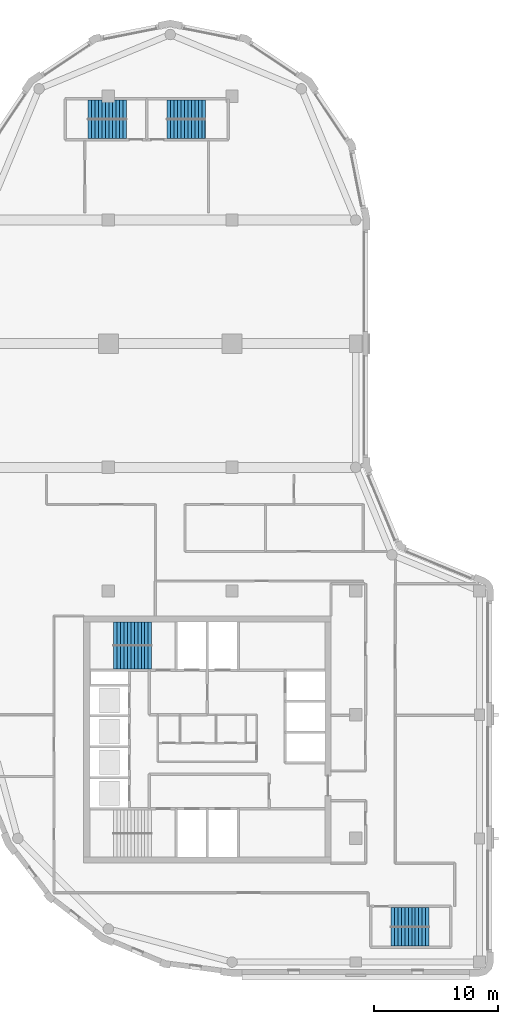
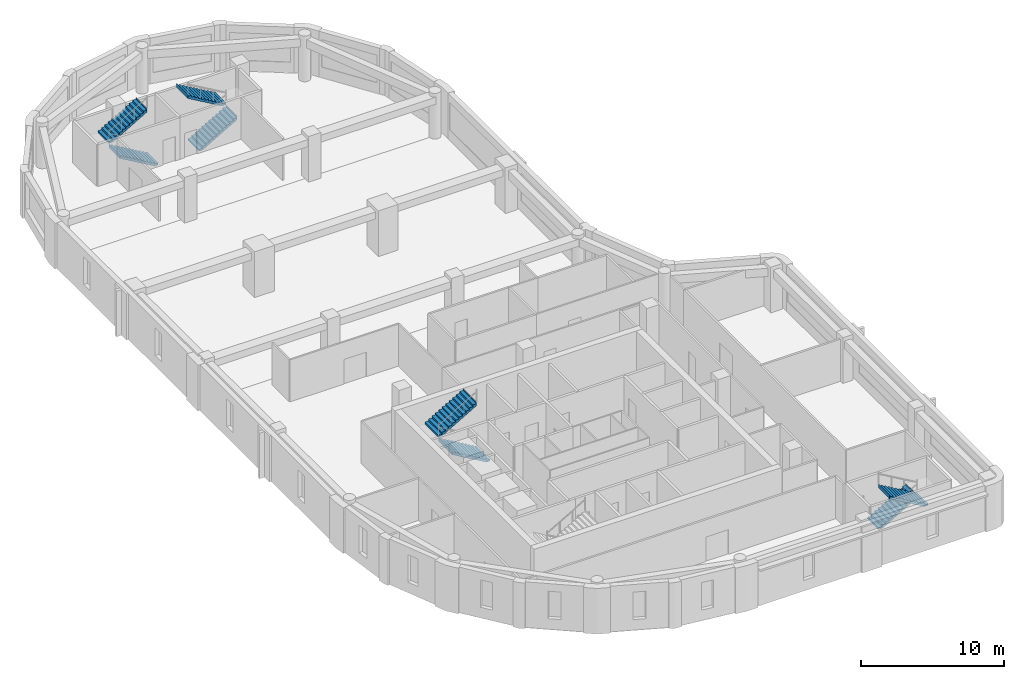
# One storey, part 6 of 8: 8 stair flights, 4 elements without a shape of their own.
"""IFC4 building model written with IfcOpenShell, lengths in metres."""

from ifc_helpers import new_model, si_unit, direction, frame, origin, place, context, subcontext, project, spatial, polyline, outline, extrude, material, type_object, element, aggregate, save


model = new_model("IFC4")

# Units and contexts
model_context = context("Model", 3, precision=1e-05, world=origin(), true_north=direction((0.0, 1.0)))
body_context = subcontext(model_context, "Body", "Model", "MODEL_VIEW")
ifc_project = project(units=[si_unit("LENGTHUNIT", "METRE"), si_unit("AREAUNIT", "SQUARE_METRE"), si_unit("VOLUMEUNIT", "CUBIC_METRE"), si_unit("PLANEANGLEUNIT", "RADIAN"), si_unit("MASSUNIT", "GRAM", prefix="KILO")], contexts=[model_context])

# Site, building, storey
site_placement = place(None, origin())
site = spatial("IfcSite", under=ifc_project, at=site_placement, CompositionType="ELEMENT")
building_placement = place(site_placement, origin())
building = spatial("IfcBuilding", under=site, at=building_placement, Name="Qaws Garden Tower", CompositionType="ELEMENT")
storey_placement = place(building_placement, frame((0.0, 0.0, 313.800048828125)))
storey = spatial("IfcBuildingStorey", under=building, at=storey_placement, Name="L76", CompositionType="ELEMENT", Elevation=313.800048828125)

# Stair, stair flights
ifc_material_1 = material(Name="Concrete C40", Category="concrete")
stair_type_1 = type_object("IfcStairType", Name="Exit stair 1350", PredefinedType="HALF_TURN_STAIR", material=ifc_material_1)
placement = place(storey_placement, origin())
stair_1 = element("IfcStair", 1, at=placement, inside=storey, type_object=stair_type_1, Name="Stair 5", PredefinedType="HALF_TURN_STAIR")
ifc_material_2 = material(Name="Concrete C40", Category="concrete")
stair_flight_type_1 = type_object("IfcStairFlightType", Name="Stair flight 1350", PredefinedType="STRAIGHT", material=ifc_material_2)
stair_flight_1_placement = place(storey_placement, frame((32.85009765625, 3.625, 0.0), z_axis=(0.0, 0.0, 1.0), x_axis=(1.0, 0.0, 0.0)))
stair_flight_1 = element("IfcStairFlight", 2, at=stair_flight_1_placement, type_object=stair_flight_type_1, Name="ST5 flight 1", NumberOfRisers=12, NumberOfTreads=11, PredefinedType="STRAIGHT", RiserHeight=0.1625, TreadLength=0.28, context=body_context, shape_type="SweptSolid", body=[
    extrude(outline(polyline([(-0.0029296875, 0.0), (-0.0029296875, 0.16259765625), (0.0, 0.16259765625), (0.280029296875, 0.16259765625), (0.280029296875, 0.324951171875), (0.56005859375, 0.324951171875), (0.56005859375, 0.487548828125), (0.840087890625, 0.487548828125), (0.840087890625, 0.64990234375), (1.1201171875, 0.64990234375), (1.1201171875, 0.8125), (1.39990234375, 0.8125), (1.39990234375, 0.97509765625), (1.679931640625, 0.97509765625), (1.679931640625, 1.137451171875), (1.9599609375, 1.137451171875), (1.9599609375, 1.300048828125), (2.239990234375, 1.300048828125), (2.239990234375, 1.46240234375), (2.52001953125, 1.46240234375), (2.52001953125, 1.625), (2.800048828125, 1.625), (2.800048828125, 1.78759765625), (3.080078125, 1.78759765625), (3.080078125, 1.949951171875), (3.0830078125, 1.949951171875), (3.0830078125, 1.6142578125), (3.080078125, 1.6142578125), (0.298583984375, 0.0), (-0.0029296875, 0.0)])), frame((0.0, 0.77490234375, 0.0), z_axis=(0.0, -1.0, 0.0), x_axis=(1.0, 0.0, 0.0)), (0.0, 0.0, 1.0), 1.550048828125),
])
stair_flight_2_placement = place(storey_placement, frame((35.929931640625, 2.074951171875, 1.949951171875), z_axis=(0.0, 0.0, 1.0), x_axis=(-1.0, 0.0, 0.0)))
stair_flight_2 = element("IfcStairFlight", 3, at=stair_flight_2_placement, type_object=stair_flight_type_1, Name="ST5 flight 2", NumberOfRisers=12, NumberOfTreads=11, PredefinedType="STRAIGHT", RiserHeight=0.1625, TreadLength=0.28, context=body_context, shape_type="SweptSolid", body=[
    extrude(outline(polyline([(-0.0029296875, 0.0), (-0.0029296875, 0.16259765625), (0.0, 0.16259765625), (0.280029296875, 0.16259765625), (0.280029296875, 0.324951171875), (0.56005859375, 0.324951171875), (0.56005859375, 0.487548828125), (0.840087890625, 0.487548828125), (0.840087890625, 0.64990234375), (1.1201171875, 0.64990234375), (1.1201171875, 0.8125), (1.39990234375, 0.8125), (1.39990234375, 0.97509765625), (1.679931640625, 0.97509765625), (1.679931640625, 1.137451171875), (1.9599609375, 1.137451171875), (1.9599609375, 1.300048828125), (2.239990234375, 1.300048828125), (2.239990234375, 1.46240234375), (2.52001953125, 1.46240234375), (2.52001953125, 1.625), (2.800048828125, 1.625), (2.800048828125, 1.78759765625), (3.080078125, 1.78759765625), (3.080078125, 1.949951171875), (3.0830078125, 1.949951171875), (3.0830078125, 1.6142578125), (3.080078125, 1.6142578125), (0.298583984375, 0.0), (-0.0029296875, 0.0)])), frame((0.0, 0.77490234375, 0.0), z_axis=(0.0, -1.0, 0.0), x_axis=(1.0, 0.0, 0.0)), (0.0, 0.0, 1.0), 1.550048828125),
])
aggregate(stair_1, [stair_flight_1, stair_flight_2])

stair_2 = element("IfcStair", 4, at=placement, inside=storey, type_object=stair_type_1, Name="Stair 6", PredefinedType="HALF_TURN_STAIR")
stair_flight_3_placement = place(storey_placement, frame((11.449951171875, 67.375, 0.0), z_axis=(0.0, 0.0, 1.0), x_axis=(-1.0, 0.0, 0.0)))
stair_flight_3 = element("IfcStairFlight", 5, at=stair_flight_3_placement, type_object=stair_flight_type_1, Name="ST6 flight 1", NumberOfRisers=12, NumberOfTreads=11, PredefinedType="STRAIGHT", RiserHeight=0.1625, TreadLength=0.28, context=body_context, shape_type="SweptSolid", body=[
    extrude(outline(polyline([(-0.0029296875, 0.0), (-0.0029296875, 0.16259765625), (0.0, 0.16259765625), (0.280029296875, 0.16259765625), (0.280029296875, 0.324951171875), (0.56005859375, 0.324951171875), (0.56005859375, 0.487548828125), (0.840087890625, 0.487548828125), (0.840087890625, 0.64990234375), (1.1201171875, 0.64990234375), (1.1201171875, 0.8125), (1.39990234375, 0.8125), (1.39990234375, 0.97509765625), (1.679931640625, 0.97509765625), (1.679931640625, 1.137451171875), (1.9599609375, 1.137451171875), (1.9599609375, 1.300048828125), (2.239990234375, 1.300048828125), (2.239990234375, 1.46240234375), (2.52001953125, 1.46240234375), (2.52001953125, 1.625), (2.800048828125, 1.625), (2.800048828125, 1.78759765625), (3.080078125, 1.78759765625), (3.080078125, 1.949951171875), (3.0830078125, 1.949951171875), (3.0830078125, 1.6142578125), (3.080078125, 1.6142578125), (0.298583984375, 0.0), (-0.0029296875, 0.0)])), frame((0.0, 0.77490234375, 0.0), z_axis=(0.0, -1.0, 0.0), x_axis=(1.0, 0.0, 0.0)), (0.0, 0.0, 1.0), 1.550048828125),
])
stair_flight_4_placement = place(storey_placement, frame((8.3701171875, 68.925048828125, 1.949951171875), z_axis=(0.0, 0.0, 1.0), x_axis=(1.0, 0.0, 0.0)))
stair_flight_4 = element("IfcStairFlight", 6, at=stair_flight_4_placement, type_object=stair_flight_type_1, Name="ST6 flight 2", NumberOfRisers=12, NumberOfTreads=11, PredefinedType="STRAIGHT", RiserHeight=0.1625, TreadLength=0.28, context=body_context, shape_type="SweptSolid", body=[
    extrude(outline(polyline([(-0.0029296875, 0.0), (-0.0029296875, 0.16259765625), (0.0, 0.16259765625), (0.280029296875, 0.16259765625), (0.280029296875, 0.324951171875), (0.56005859375, 0.324951171875), (0.56005859375, 0.487548828125), (0.840087890625, 0.487548828125), (0.840087890625, 0.64990234375), (1.1201171875, 0.64990234375), (1.1201171875, 0.8125), (1.39990234375, 0.8125), (1.39990234375, 0.97509765625), (1.679931640625, 0.97509765625), (1.679931640625, 1.137451171875), (1.9599609375, 1.137451171875), (1.9599609375, 1.300048828125), (2.239990234375, 1.300048828125), (2.239990234375, 1.46240234375), (2.52001953125, 1.46240234375), (2.52001953125, 1.625), (2.800048828125, 1.625), (2.800048828125, 1.78759765625), (3.080078125, 1.78759765625), (3.080078125, 1.949951171875), (3.0830078125, 1.949951171875), (3.0830078125, 1.6142578125), (3.080078125, 1.6142578125), (0.298583984375, 0.0), (-0.0029296875, 0.0)])), frame((0.0, 0.77490234375, 0.0), z_axis=(0.0, -1.0, 0.0), x_axis=(1.0, 0.0, 0.0)), (0.0, 0.0, 1.0), 1.550048828125),
])
aggregate(stair_2, [stair_flight_3, stair_flight_4])

stair_3 = element("IfcStair", 7, at=placement, inside=storey, type_object=stair_type_1, Name="Stair 7", PredefinedType="HALF_TURN_STAIR")
stair_flight_5_placement = place(storey_placement, frame((14.75, 67.375, 0.0), z_axis=(0.0, 0.0, 1.0), x_axis=(1.0, 0.0, 0.0)))
stair_flight_5 = element("IfcStairFlight", 8, at=stair_flight_5_placement, type_object=stair_flight_type_1, Name="ST7 flight 1", NumberOfRisers=12, NumberOfTreads=11, PredefinedType="STRAIGHT", RiserHeight=0.1625, TreadLength=0.28, context=body_context, shape_type="SweptSolid", body=[
    extrude(outline(polyline([(-0.0029296875, 0.0), (-0.0029296875, 0.16259765625), (0.0, 0.16259765625), (0.280029296875, 0.16259765625), (0.280029296875, 0.324951171875), (0.56005859375, 0.324951171875), (0.56005859375, 0.487548828125), (0.840087890625, 0.487548828125), (0.840087890625, 0.64990234375), (1.1201171875, 0.64990234375), (1.1201171875, 0.8125), (1.39990234375, 0.8125), (1.39990234375, 0.97509765625), (1.679931640625, 0.97509765625), (1.679931640625, 1.137451171875), (1.9599609375, 1.137451171875), (1.9599609375, 1.300048828125), (2.239990234375, 1.300048828125), (2.239990234375, 1.46240234375), (2.52001953125, 1.46240234375), (2.52001953125, 1.625), (2.800048828125, 1.625), (2.800048828125, 1.78759765625), (3.080078125, 1.78759765625), (3.080078125, 1.949951171875), (3.0830078125, 1.949951171875), (3.0830078125, 1.6142578125), (3.080078125, 1.6142578125), (0.298583984375, 0.0), (-0.0029296875, 0.0)])), frame((0.0, 0.77490234375, 0.0), z_axis=(0.0, -1.0, 0.0), x_axis=(1.0, 0.0, 0.0)), (0.0, 0.0, 1.0), 1.550048828125),
])
stair_flight_6_placement = place(storey_placement, frame((17.830078125, 68.925048828125, 1.949951171875), z_axis=(0.0, 0.0, 1.0), x_axis=(-1.0, 0.0, 0.0)))
stair_flight_6 = element("IfcStairFlight", 9, at=stair_flight_6_placement, type_object=stair_flight_type_1, Name="ST7 flight 2", NumberOfRisers=12, NumberOfTreads=11, PredefinedType="STRAIGHT", RiserHeight=0.1625, TreadLength=0.28, context=body_context, shape_type="SweptSolid", body=[
    extrude(outline(polyline([(-0.0029296875, 0.0), (-0.0029296875, 0.16259765625), (0.0, 0.16259765625), (0.280029296875, 0.16259765625), (0.280029296875, 0.324951171875), (0.56005859375, 0.324951171875), (0.56005859375, 0.487548828125), (0.840087890625, 0.487548828125), (0.840087890625, 0.64990234375), (1.1201171875, 0.64990234375), (1.1201171875, 0.8125), (1.39990234375, 0.8125), (1.39990234375, 0.97509765625), (1.679931640625, 0.97509765625), (1.679931640625, 1.137451171875), (1.9599609375, 1.137451171875), (1.9599609375, 1.300048828125), (2.239990234375, 1.300048828125), (2.239990234375, 1.46240234375), (2.52001953125, 1.46240234375), (2.52001953125, 1.625), (2.800048828125, 1.625), (2.800048828125, 1.78759765625), (3.080078125, 1.78759765625), (3.080078125, 1.949951171875), (3.0830078125, 1.949951171875), (3.0830078125, 1.6142578125), (3.080078125, 1.6142578125), (0.298583984375, 0.0), (-0.0029296875, 0.0)])), frame((0.0, 0.77490234375, 0.0), z_axis=(0.0, -1.0, 0.0), x_axis=(1.0, 0.0, 0.0)), (0.0, 0.0, 1.0), 1.550048828125),
])
aggregate(stair_3, [stair_flight_5, stair_flight_6])

ifc_material_3 = material(Name="Concrete C40", Category="concrete")
stair_type_2 = type_object("IfcStairType", Name="Exit stair 1500", PredefinedType="HALF_TURN_STAIR", material=ifc_material_3)
stair_4 = element("IfcStair", 10, at=placement, inside=storey, type_object=stair_type_2, Name="Stair 4", PredefinedType="HALF_TURN_STAIR")
ifc_material_4 = material(Name="Concrete C40", Category="concrete")
stair_flight_type_2 = type_object("IfcStairFlightType", Name="Stair flight 1500", PredefinedType="STRAIGHT", material=ifc_material_4)
stair_flight_7_placement = place(storey_placement, frame((13.5, 24.64990234375, 0.0), z_axis=(0.0, 0.0, 1.0), x_axis=(-1.0, 0.0, 0.0)))
stair_flight_7 = element("IfcStairFlight", 11, at=stair_flight_7_placement, type_object=stair_flight_type_2, Name="ST4 flight 1", NumberOfRisers=12, NumberOfTreads=11, PredefinedType="STRAIGHT", RiserHeight=0.1625, TreadLength=0.28, context=body_context, shape_type="SweptSolid", body=[
    extrude(outline(polyline([(-0.0029296875, 0.0), (-0.0029296875, 0.16259765625), (0.0, 0.16259765625), (0.280029296875, 0.16259765625), (0.280029296875, 0.324951171875), (0.56005859375, 0.324951171875), (0.56005859375, 0.487548828125), (0.840087890625, 0.487548828125), (0.840087890625, 0.64990234375), (1.1201171875, 0.64990234375), (1.1201171875, 0.8125), (1.39990234375, 0.8125), (1.39990234375, 0.97509765625), (1.679931640625, 0.97509765625), (1.679931640625, 1.137451171875), (1.9599609375, 1.137451171875), (1.9599609375, 1.300048828125), (2.239990234375, 1.300048828125), (2.239990234375, 1.46240234375), (2.52001953125, 1.46240234375), (2.52001953125, 1.625), (2.800048828125, 1.625), (2.800048828125, 1.78759765625), (3.080078125, 1.78759765625), (3.080078125, 1.949951171875), (3.0830078125, 1.949951171875), (3.0830078125, 1.6142578125), (3.080078125, 1.6142578125), (0.298583984375, 0.0), (-0.0029296875, 0.0)])), frame((0.0, 0.94482421875, 0.0), z_axis=(0.0, -1.0, 0.0), x_axis=(1.0, 0.0, 0.0)), (0.0, 0.0, 1.0), 1.889892578125),
])
stair_flight_8_placement = place(storey_placement, frame((10.419921875, 26.550048828125, 1.949951171875), z_axis=(0.0, 0.0, 1.0), x_axis=(1.0, 0.0, 0.0)))
stair_flight_8 = element("IfcStairFlight", 12, at=stair_flight_8_placement, type_object=stair_flight_type_2, Name="ST4 flight 2", NumberOfRisers=12, NumberOfTreads=11, PredefinedType="STRAIGHT", RiserHeight=0.1625, TreadLength=0.28, context=body_context, shape_type="SweptSolid", body=[
    extrude(outline(polyline([(-0.0029296875, 0.0), (-0.0029296875, 0.16259765625), (0.0, 0.16259765625), (0.280029296875, 0.16259765625), (0.280029296875, 0.324951171875), (0.56005859375, 0.324951171875), (0.56005859375, 0.487548828125), (0.840087890625, 0.487548828125), (0.840087890625, 0.64990234375), (1.1201171875, 0.64990234375), (1.1201171875, 0.8125), (1.39990234375, 0.8125), (1.39990234375, 0.97509765625), (1.679931640625, 0.97509765625), (1.679931640625, 1.137451171875), (1.9599609375, 1.137451171875), (1.9599609375, 1.300048828125), (2.239990234375, 1.300048828125), (2.239990234375, 1.46240234375), (2.52001953125, 1.46240234375), (2.52001953125, 1.625), (2.800048828125, 1.625), (2.800048828125, 1.78759765625), (3.080078125, 1.78759765625), (3.080078125, 1.949951171875), (3.0830078125, 1.949951171875), (3.0830078125, 1.6142578125), (3.080078125, 1.6142578125), (0.298583984375, 0.0), (-0.0029296875, 0.0)])), frame((0.0, 0.94482421875, 0.0), z_axis=(0.0, -1.0, 0.0), x_axis=(1.0, 0.0, 0.0)), (0.0, 0.0, 1.0), 1.889892578125),
])
aggregate(stair_4, [stair_flight_7, stair_flight_8])

save(model, "model.ifc")
